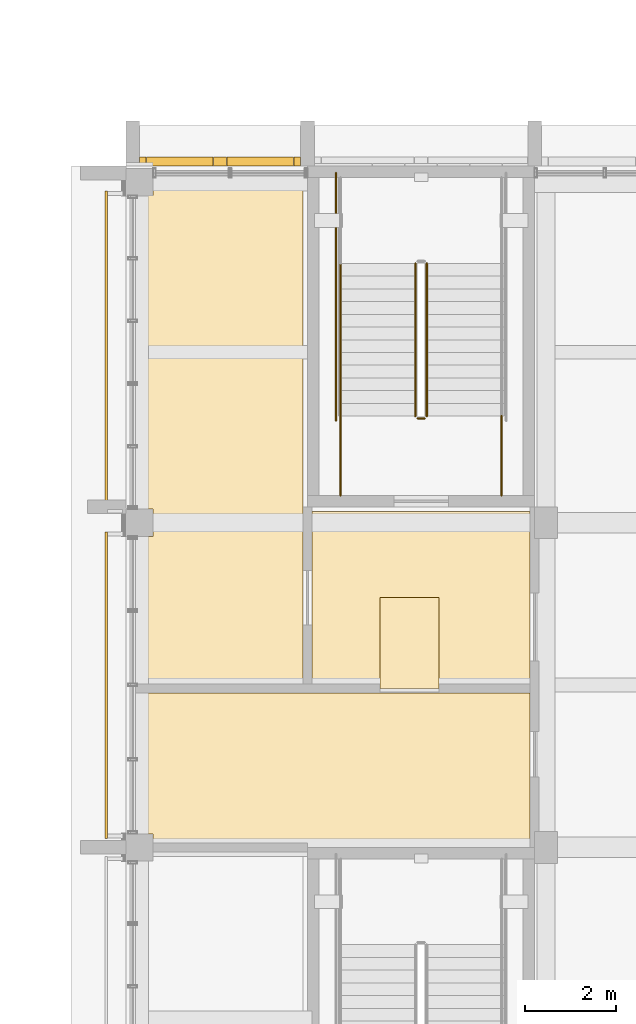
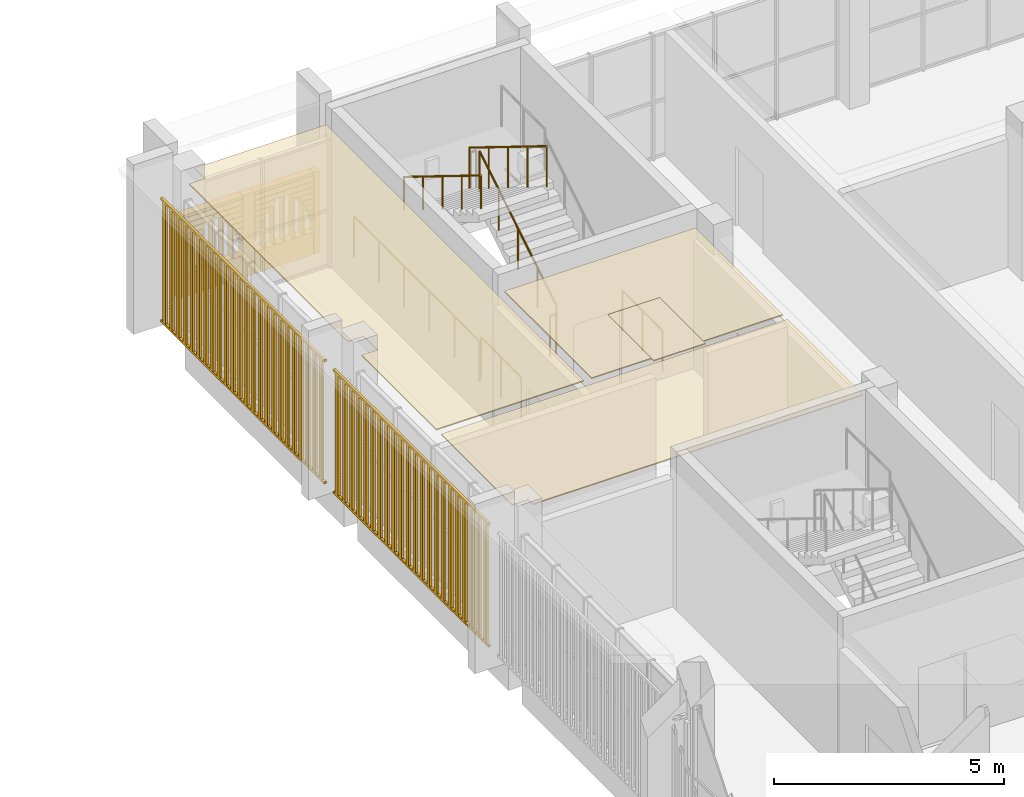
# One storey, part 89 of 92: 7 railings, 5 coverings, 2 shading devices.
"""IFC4 building model written with IfcOpenShell, lengths in metres."""

from ifc_helpers import new_model, si_unit, direction, frame, origin, origin_2d, place, context, subcontext, project, spatial, polyline, rectangle, circle, outline, extrude, material, layer, layer_set, type_object, element, save


model = new_model("IFC4")

# Units and contexts
model_context = context("Model", 3, precision=1e-05, world=origin(), true_north=direction((0.0, 1.0)))
body_context = subcontext(model_context, "Body", "Model", "MODEL_VIEW")
ifc_project = project(units=[si_unit("LENGTHUNIT", "METRE"), si_unit("AREAUNIT", "SQUARE_METRE"), si_unit("VOLUMEUNIT", "CUBIC_METRE"), si_unit("PLANEANGLEUNIT", "RADIAN"), si_unit("MASSUNIT", "GRAM", prefix="KILO")], contexts=[model_context])

# Site, building, storey
site_placement = place(None, origin())
site = spatial("IfcSite", under=ifc_project, at=site_placement, CompositionType="ELEMENT")
building_placement = place(site_placement, origin())
building = spatial("IfcBuilding", under=site, at=building_placement, Name="Sun Court Science Centre", CompositionType="ELEMENT")
storey_placement = place(building_placement, frame((0.0, 0.0, 11.25)))
storey = spatial("IfcBuildingStorey", under=building, at=storey_placement, Name="L02", CompositionType="ELEMENT", Elevation=11.25)

# Coverings
ifc_material_1 = material(Name="Red sandstone", Category="masonry")
ifc_layer_1 = layer(ifc_material_1, 0.199951171875)
ifc_layer_set_1 = layer_set([ifc_layer_1], Name="Red sandstone")
covering_type_1 = type_object("IfcCoveringType", Name="Arched jali screen 200", PredefinedType="CLADDING", material=ifc_layer_set_1)
covering_1_placement = place(storey_placement, frame((0.0, 0.0, -11.25)))
element("IfcCovering", 1, at=covering_1_placement, inside=storey, type_object=covering_type_1, Name="Arched jali screen north L02 01", PredefinedType="CLADDING", context=body_context, shape_type="SweptSolid", body=[
    extrude(rectangle(XDim=0.139892578125, YDim=0.199951171875, at=origin_2d()), frame((78.375, 81.10009765625, 11.554931640625), z_axis=(0.0, 0.0, 1.0), x_axis=(1.0, 0.0, 0.0)), (0.0, 0.0, 1.0), 2.16748046875),
    extrude(rectangle(XDim=0.2900390625, YDim=0.199951171875, at=origin_2d()), frame((80.074951171875, 81.10009765625, 11.554931640625), z_axis=(0.0, 0.0, 1.0), x_axis=(1.0, 0.0, 0.0)), (0.0, 0.0, 1.0), 2.16748046875),
    extrude(rectangle(XDim=0.139892578125, YDim=0.199951171875, at=origin_2d()), frame((81.77490234375, 81.10009765625, 11.554931640625), z_axis=(0.0, 0.0, 1.0), x_axis=(1.0, 0.0, 0.0)), (0.0, 0.0, 1.0), 2.16748046875),
    extrude(rectangle(XDim=1.465087890625, YDim=0.199951171875, at=origin_2d()), frame((79.1875, 81.10009765625, 11.55517578125), z_axis=(0.0, 0.0, 1.0), x_axis=(1.0, 0.0, 0.0)), (0.0, 0.0, 1.0), 0.590087890625),
    extrude(rectangle(XDim=0.03857421875, YDim=0.199951171875, at=origin_2d()), frame((78.47412109375, 81.10009765625, 12.455078125), z_axis=(0.0, 0.0, 1.0), x_axis=(1.0, 0.0, 0.0)), (0.0, 0.0, 1.0), 0.139892578125),
    extrude(rectangle(XDim=0.03857421875, YDim=0.199951171875, at=origin_2d()), frame((79.90087890625, 81.10009765625, 12.455078125), z_axis=(0.0, 0.0, 1.0), x_axis=(1.0, 0.0, 0.0)), (0.0, 0.0, 1.0), 0.139892578125),
    extrude(rectangle(XDim=0.086669921875, YDim=0.199951171875, at=origin_2d()), frame((78.498291015625, 81.10009765625, 12.60498046875), z_axis=(0.0, 0.0, 1.0), x_axis=(1.0, 0.0, 0.0)), (0.0, 0.0, 1.0), 0.139892578125),
    extrude(rectangle(XDim=0.086669921875, YDim=0.199951171875, at=origin_2d()), frame((79.876708984375, 81.10009765625, 12.60498046875), z_axis=(0.0, 0.0, 1.0), x_axis=(1.0, 0.0, 0.0)), (0.0, 0.0, 1.0), 0.139892578125),
    extrude(rectangle(XDim=0.153564453125, YDim=0.199951171875, at=origin_2d()), frame((78.53173828125, 81.10009765625, 12.7548828125), z_axis=(0.0, 0.0, 1.0), x_axis=(1.0, 0.0, 0.0)), (0.0, 0.0, 1.0), 0.139892578125),
    extrude(rectangle(XDim=0.153564453125, YDim=0.199951171875, at=origin_2d()), frame((79.84326171875, 81.10009765625, 12.7548828125), z_axis=(0.0, 0.0, 1.0), x_axis=(1.0, 0.0, 0.0)), (0.0, 0.0, 1.0), 0.139892578125),
    extrude(rectangle(XDim=0.2421875, YDim=0.199951171875, at=origin_2d()), frame((78.576171875, 81.10009765625, 12.9052734375), z_axis=(0.0, 0.0, 1.0), x_axis=(1.0, 0.0, 0.0)), (0.0, 0.0, 1.0), 0.139892578125),
    extrude(rectangle(XDim=0.2421875, YDim=0.199951171875, at=origin_2d()), frame((79.798828125, 81.10009765625, 12.9052734375), z_axis=(0.0, 0.0, 1.0), x_axis=(1.0, 0.0, 0.0)), (0.0, 0.0, 1.0), 0.139892578125),
    extrude(rectangle(XDim=0.358154296875, YDim=0.199951171875, at=origin_2d()), frame((78.634033203125, 81.10009765625, 13.05517578125), z_axis=(0.0, 0.0, 1.0), x_axis=(1.0, 0.0, 0.0)), (0.0, 0.0, 1.0), 0.139892578125),
    extrude(rectangle(XDim=0.358154296875, YDim=0.199951171875, at=origin_2d()), frame((79.740966796875, 81.10009765625, 13.05517578125), z_axis=(0.0, 0.0, 1.0), x_axis=(1.0, 0.0, 0.0)), (0.0, 0.0, 1.0), 0.139892578125),
    extrude(rectangle(XDim=0.510986328125, YDim=0.199951171875, at=origin_2d()), frame((78.71044921875, 81.10009765625, 13.205078125), z_axis=(0.0, 0.0, 1.0), x_axis=(1.0, 0.0, 0.0)), (0.0, 0.0, 1.0), 0.139892578125),
    extrude(rectangle(XDim=0.510986328125, YDim=0.199951171875, at=origin_2d()), frame((79.66455078125, 81.10009765625, 13.205078125), z_axis=(0.0, 0.0, 1.0), x_axis=(1.0, 0.0, 0.0)), (0.0, 0.0, 1.0), 0.139892578125),
    extrude(rectangle(XDim=0.723388671875, YDim=0.199951171875, at=origin_2d()), frame((78.816650390625, 81.10009765625, 13.35498046875), z_axis=(0.0, 0.0, 1.0), x_axis=(1.0, 0.0, 0.0)), (0.0, 0.0, 1.0), 0.139892578125),
    extrude(rectangle(XDim=0.723388671875, YDim=0.199951171875, at=origin_2d()), frame((79.558349609375, 81.10009765625, 13.35498046875), z_axis=(0.0, 0.0, 1.0), x_axis=(1.0, 0.0, 0.0)), (0.0, 0.0, 1.0), 0.139892578125),
    extrude(rectangle(XDim=1.465087890625, YDim=0.199951171875, at=origin_2d()), frame((79.1875, 81.10009765625, 13.5048828125), z_axis=(0.0, 0.0, 1.0), x_axis=(1.0, 0.0, 0.0)), (0.0, 0.0, 1.0), 0.139892578125),
    extrude(rectangle(XDim=1.465087890625, YDim=0.199951171875, at=origin_2d()), frame((79.1875, 81.10009765625, 13.655029296875), z_axis=(0.0, 0.0, 1.0), x_axis=(1.0, 0.0, 0.0)), (0.0, 0.0, 1.0), 0.0673828125),
    extrude(rectangle(XDim=0.0400390625, YDim=0.199951171875, at=origin_2d()), frame((78.69580078125, 81.10009765625, 12.15478515625), z_axis=(0.0, 0.0, 1.0), x_axis=(1.0, 0.0, 0.0)), (0.0, 0.0, 1.0), 0.805419921875),
    extrude(rectangle(XDim=0.0400390625, YDim=0.199951171875, at=origin_2d()), frame((78.941650390625, 81.10009765625, 12.155029296875), z_axis=(0.0, 0.0, 1.0), x_axis=(1.0, 0.0, 0.0)), (0.0, 0.0, 1.0), 1.08935546875),
    extrude(rectangle(XDim=0.0400390625, YDim=0.199951171875, at=origin_2d()), frame((79.1875, 81.10009765625, 12.15478515625), z_axis=(0.0, 0.0, 1.0), x_axis=(1.0, 0.0, 0.0)), (0.0, 0.0, 1.0), 1.267333984375),
    extrude(rectangle(XDim=0.0400390625, YDim=0.199951171875, at=origin_2d()), frame((79.433349609375, 81.10009765625, 12.155029296875), z_axis=(0.0, 0.0, 1.0), x_axis=(1.0, 0.0, 0.0)), (0.0, 0.0, 1.0), 1.08935546875),
    extrude(rectangle(XDim=0.0400390625, YDim=0.199951171875, at=origin_2d()), frame((79.67919921875, 81.10009765625, 12.15478515625), z_axis=(0.0, 0.0, 1.0), x_axis=(1.0, 0.0, 0.0)), (0.0, 0.0, 1.0), 0.805419921875),
    extrude(rectangle(XDim=1.465087890625, YDim=0.199951171875, at=origin_2d()), frame((80.96240234375, 81.10009765625, 11.55517578125), z_axis=(0.0, 0.0, 1.0), x_axis=(1.0, 0.0, 0.0)), (0.0, 0.0, 1.0), 0.590087890625),
    extrude(rectangle(XDim=0.03857421875, YDim=0.199951171875, at=origin_2d()), frame((80.249267578125, 81.10009765625, 12.455078125), z_axis=(0.0, 0.0, 1.0), x_axis=(1.0, 0.0, 0.0)), (0.0, 0.0, 1.0), 0.139892578125),
    extrude(rectangle(XDim=0.03857421875, YDim=0.199951171875, at=origin_2d()), frame((81.67578125, 81.10009765625, 12.455078125), z_axis=(0.0, 0.0, 1.0), x_axis=(1.0, 0.0, 0.0)), (0.0, 0.0, 1.0), 0.139892578125),
    extrude(rectangle(XDim=0.086669921875, YDim=0.199951171875, at=origin_2d()), frame((80.273193359375, 81.10009765625, 12.60498046875), z_axis=(0.0, 0.0, 1.0), x_axis=(1.0, 0.0, 0.0)), (0.0, 0.0, 1.0), 0.139892578125),
    extrude(rectangle(XDim=0.086669921875, YDim=0.199951171875, at=origin_2d()), frame((81.651611328125, 81.10009765625, 12.60498046875), z_axis=(0.0, 0.0, 1.0), x_axis=(1.0, 0.0, 0.0)), (0.0, 0.0, 1.0), 0.139892578125),
    extrude(rectangle(XDim=0.153564453125, YDim=0.199951171875, at=origin_2d()), frame((80.306640625, 81.10009765625, 12.7548828125), z_axis=(0.0, 0.0, 1.0), x_axis=(1.0, 0.0, 0.0)), (0.0, 0.0, 1.0), 0.139892578125),
    extrude(rectangle(XDim=0.153564453125, YDim=0.199951171875, at=origin_2d()), frame((81.6181640625, 81.10009765625, 12.7548828125), z_axis=(0.0, 0.0, 1.0), x_axis=(1.0, 0.0, 0.0)), (0.0, 0.0, 1.0), 0.139892578125),
    extrude(rectangle(XDim=0.2421875, YDim=0.199951171875, at=origin_2d()), frame((80.35107421875, 81.10009765625, 12.9052734375), z_axis=(0.0, 0.0, 1.0), x_axis=(1.0, 0.0, 0.0)), (0.0, 0.0, 1.0), 0.139892578125),
    extrude(rectangle(XDim=0.2421875, YDim=0.199951171875, at=origin_2d()), frame((81.57373046875, 81.10009765625, 12.9052734375), z_axis=(0.0, 0.0, 1.0), x_axis=(1.0, 0.0, 0.0)), (0.0, 0.0, 1.0), 0.139892578125),
    extrude(rectangle(XDim=0.358154296875, YDim=0.199951171875, at=origin_2d()), frame((80.4091796875, 81.10009765625, 13.05517578125), z_axis=(0.0, 0.0, 1.0), x_axis=(1.0, 0.0, 0.0)), (0.0, 0.0, 1.0), 0.139892578125),
    extrude(rectangle(XDim=0.358154296875, YDim=0.199951171875, at=origin_2d()), frame((81.515869140625, 81.10009765625, 13.05517578125), z_axis=(0.0, 0.0, 1.0), x_axis=(1.0, 0.0, 0.0)), (0.0, 0.0, 1.0), 0.139892578125),
    extrude(rectangle(XDim=0.510986328125, YDim=0.199951171875, at=origin_2d()), frame((80.485595703125, 81.10009765625, 13.205078125), z_axis=(0.0, 0.0, 1.0), x_axis=(1.0, 0.0, 0.0)), (0.0, 0.0, 1.0), 0.139892578125),
    extrude(rectangle(XDim=0.510986328125, YDim=0.199951171875, at=origin_2d()), frame((81.439453125, 81.10009765625, 13.205078125), z_axis=(0.0, 0.0, 1.0), x_axis=(1.0, 0.0, 0.0)), (0.0, 0.0, 1.0), 0.139892578125),
    extrude(rectangle(XDim=0.723388671875, YDim=0.199951171875, at=origin_2d()), frame((80.591796875, 81.10009765625, 13.35498046875), z_axis=(0.0, 0.0, 1.0), x_axis=(1.0, 0.0, 0.0)), (0.0, 0.0, 1.0), 0.139892578125),
    extrude(rectangle(XDim=0.723388671875, YDim=0.199951171875, at=origin_2d()), frame((81.333251953125, 81.10009765625, 13.35498046875), z_axis=(0.0, 0.0, 1.0), x_axis=(1.0, 0.0, 0.0)), (0.0, 0.0, 1.0), 0.139892578125),
    extrude(rectangle(XDim=1.465087890625, YDim=0.199951171875, at=origin_2d()), frame((80.96240234375, 81.10009765625, 13.5048828125), z_axis=(0.0, 0.0, 1.0), x_axis=(1.0, 0.0, 0.0)), (0.0, 0.0, 1.0), 0.139892578125),
    extrude(rectangle(XDim=1.465087890625, YDim=0.199951171875, at=origin_2d()), frame((80.96240234375, 81.10009765625, 13.655029296875), z_axis=(0.0, 0.0, 1.0), x_axis=(1.0, 0.0, 0.0)), (0.0, 0.0, 1.0), 0.0673828125),
    extrude(rectangle(XDim=0.0400390625, YDim=0.199951171875, at=origin_2d()), frame((80.470947265625, 81.10009765625, 12.15478515625), z_axis=(0.0, 0.0, 1.0), x_axis=(1.0, 0.0, 0.0)), (0.0, 0.0, 1.0), 0.805419921875),
    extrude(rectangle(XDim=0.0400390625, YDim=0.199951171875, at=origin_2d()), frame((80.716552734375, 81.10009765625, 12.155029296875), z_axis=(0.0, 0.0, 1.0), x_axis=(1.0, 0.0, 0.0)), (0.0, 0.0, 1.0), 1.08935546875),
    extrude(rectangle(XDim=0.0400390625, YDim=0.199951171875, at=origin_2d()), frame((80.96240234375, 81.10009765625, 12.15478515625), z_axis=(0.0, 0.0, 1.0), x_axis=(1.0, 0.0, 0.0)), (0.0, 0.0, 1.0), 1.267333984375),
    extrude(rectangle(XDim=0.0400390625, YDim=0.199951171875, at=origin_2d()), frame((81.208251953125, 81.10009765625, 12.155029296875), z_axis=(0.0, 0.0, 1.0), x_axis=(1.0, 0.0, 0.0)), (0.0, 0.0, 1.0), 1.08935546875),
    extrude(rectangle(XDim=0.0400390625, YDim=0.199951171875, at=origin_2d()), frame((81.4541015625, 81.10009765625, 12.15478515625), z_axis=(0.0, 0.0, 1.0), x_axis=(1.0, 0.0, 0.0)), (0.0, 0.0, 1.0), 0.805419921875),
])
ifc_material_2 = material(Name="Gypsum board")
ifc_layer_2 = layer(ifc_material_2, 0.030029296875)
ifc_layer_set_2 = layer_set([ifc_layer_2], Name="Gypsum board")
covering_type_2 = type_object("IfcCoveringType", Name="Ceiling suspended 600 module", PredefinedType="CEILING", material=ifc_layer_set_2)
covering_2_placement = place(storey_placement, frame((0.0, 0.0, 3.77001953125)))
element("IfcCovering", 2, at=covering_2_placement, inside=storey, type_object=covering_type_2, Name="L02-043 ceiling", PredefinedType="CEILING", context=body_context, shape_type="SweptSolid", body=[
    extrude(outline(polyline([(84.89990234375, 71.5), (83.60009765625, 71.5), (83.60009765625, 69.60009765625), (82.10009765625, 69.60009765625), (82.10009765625, 73.39990234375), (86.89990234375, 73.39990234375), (86.89990234375, 69.60009765625), (84.89990234375, 69.60009765625), (84.89990234375, 71.5)])), origin(), (0.0, 0.0, 1.0), 0.030029296875),
])
covering_3_placement = place(storey_placement, frame((0.0, 0.0, 3.77001953125)))
element("IfcCovering", 3, at=covering_3_placement, inside=storey, type_object=covering_type_2, Name="L02-049 ceiling", PredefinedType="CEILING", context=body_context, shape_type="SweptSolid", body=[
    extrude(outline(polyline([(78.199951171875, 69.39990234375), (86.89990234375, 69.39990234375), (86.89990234375, 66.10009765625), (78.60009765625, 66.10009765625), (78.60009765625, 66.300048828125), (78.199951171875, 66.300048828125), (78.199951171875, 69.39990234375)])), origin(), (0.0, 0.0, 1.0), 0.030029296875),
])
covering_4_placement = place(storey_placement, frame((0.0, 0.0, 3.77001953125)))
element("IfcCovering", 4, at=covering_4_placement, inside=storey, type_object=covering_type_2, Name="L02-050 ceiling", PredefinedType="CEILING", context=body_context, shape_type="SweptSolid", body=[
    extrude(outline(polyline([(78.60009765625, 80.800048828125), (81.89990234375, 80.800048828125), (81.89990234375, 69.60009765625), (78.199951171875, 69.60009765625), (78.199951171875, 72.85009765625), (78.60009765625, 72.85009765625), (78.60009765625, 73.449951171875), (78.199951171875, 73.449951171875), (78.199951171875, 80.35009765625), (78.60009765625, 80.35009765625), (78.60009765625, 80.800048828125)])), origin(), (0.0, 0.0, 1.0), 0.030029296875),
])
covering_5_placement = place(storey_placement, frame((0.0, 0.0, 3.77001953125)))
element("IfcCovering", 5, at=covering_5_placement, inside=storey, type_object=covering_type_2, Name="L02-059 ceiling", PredefinedType="CEILING", context=body_context, shape_type="SweptSolid", body=[
    extrude(outline(polyline([(84.89990234375, 71.5), (84.89990234375, 69.5), (83.60009765625, 69.5), (83.60009765625, 71.5), (84.89990234375, 71.5)])), origin(), (0.0, 0.0, 1.0), 0.030029296875),
])

# Railings
ifc_material_3 = material(Name="Steel S275", Category="steel")
railing_type_1 = type_object("IfcRailingType", Name="Guard 1100 steel balustrade", PredefinedType="GUARDRAIL", material=ifc_material_3)
railing_1_placement = place(storey_placement, frame((84.625, 75.498046875, 0.173095703125)))
element("IfcRailing", 6, at=railing_1_placement, inside=storey, type_object=railing_type_1, Name="L02 SL4 stair guard 1", PredefinedType="GUARDRAIL", context=body_context, shape_type="SweptSolid", body=[
    extrude(circle(Radius=0.02392578125, at=origin_2d()), frame((0.0, 0.0, 1.076171875), z_axis=(0.0, 0.850606129759, 0.525803396734), x_axis=(-1.0, 0.0, 0.0)), (0.0, 0.0, 1.0), 3.949951171875),
    extrude(circle(Radius=0.02099609375, at=origin_2d()), origin(), (0.0, 0.0, 1.0), 1.052001953125),
    extrude(circle(Radius=0.02099609375, at=origin_2d()), frame((0.0, 0.83984375, 0.519287109375)), (0.0, 0.0, 1.0), 1.052001953125),
    extrude(circle(Radius=0.02099609375, at=origin_2d()), frame((0.0, 1.679931640625, 1.03857421875)), (0.0, 0.0, 1.0), 1.052001953125),
    extrude(circle(Radius=0.02099609375, at=origin_2d()), frame((0.0, 2.52001953125, 1.5576171875)), (0.0, 0.0, 1.0), 1.052001953125),
    extrude(circle(Radius=0.02099609375, at=origin_2d()), frame((0.0, 3.35986328125, 2.076904296875)), (0.0, 0.0, 1.0), 1.052001953125),
])
railing_2_placement = place(storey_placement, frame((84.375, 78.85791015625, 2.423095703125)))
element("IfcRailing", 7, at=railing_2_placement, inside=storey, type_object=railing_type_1, Name="L02 SL4 stair guard 5", PredefinedType="GUARDRAIL", context=body_context, shape_type="SweptSolid", body=[
    extrude(circle(Radius=0.02392578125, at=origin_2d()), frame((0.0, 0.0, 1.076171875), z_axis=(0.0, -0.850606129759, 0.525803396734), x_axis=(1.0, 0.0, 0.0)), (0.0, 0.0, 1.0), 3.949951171875),
    extrude(circle(Radius=0.02099609375, at=origin_2d()), origin(), (0.0, 0.0, 1.0), 1.052001953125),
    extrude(circle(Radius=0.02099609375, at=origin_2d()), frame((0.0, -0.83984375, 0.519287109375)), (0.0, 0.0, 1.0), 1.052001953125),
    extrude(circle(Radius=0.02099609375, at=origin_2d()), frame((0.0, -1.679931640625, 1.03857421875)), (0.0, 0.0, 1.0), 1.052001953125),
    extrude(circle(Radius=0.02099609375, at=origin_2d()), frame((0.0, -2.52001953125, 1.5576171875)), (0.0, 0.0, 1.0), 1.052001953125),
    extrude(circle(Radius=0.02099609375, at=origin_2d()), frame((0.0, -3.35986328125, 2.076904296875)), (0.0, 0.0, 1.0), 1.052001953125),
])
railing_3_placement = place(storey_placement, frame((84.574951171875, 75.447998046875, 0.0)))
element("IfcRailing", 8, at=railing_3_placement, inside=storey, type_object=railing_type_1, Name="L02 SL4 stair guard 6", PredefinedType="GUARDRAIL", context=body_context, shape_type="SweptSolid", body=[
    extrude(circle(Radius=0.02392578125, at=origin_2d()), frame((0.0, 0.0, 1.076171875), z_axis=(-1.0, 0.0, 0.0), x_axis=(0.0, -1.0, 0.0)), (0.0, 0.0, 1.0), 0.14990234375),
    extrude(circle(Radius=0.02099609375, at=origin_2d()), origin(), (0.0, 0.0, 1.0), 1.052001953125),
    extrude(circle(Radius=0.02099609375, at=origin_2d()), frame((-0.14990234375, 0.0, 0.0)), (0.0, 0.0, 1.0), 1.052001953125),
])
for number, where, name in (
    (9, (86.27294921875, 73.75, 0.0), "L02 SL4 stair guard 7"),
    (10, (82.72705078125, 73.75, 0.0), "L02 SL4 stair guard 8"),
):
    element("IfcRailing", number, at=place(storey_placement, frame(where)), inside=storey, type_object=railing_type_1, Name=name, PredefinedType="GUARDRAIL", context=body_context, shape_type="SweptSolid", body=[
        extrude(circle(Radius=0.02392578125, at=origin_2d()), frame((0.0, 0.0, 1.076171875), z_axis=(0.0, 1.0, 0.0), x_axis=(-1.0, 0.0, 0.0)), (0.0, 0.0, 1.0), 1.748046875),
        extrude(circle(Radius=0.02099609375, at=origin_2d()), origin(), (0.0, 0.0, 1.0), 1.052001953125),
        extrude(circle(Radius=0.02099609375, at=origin_2d()), frame((0.0, 0.8740234375, 0.0)), (0.0, 0.0, 1.0), 1.052001953125),
        extrude(circle(Radius=0.02099609375, at=origin_2d()), frame((0.0, 1.748046875, 0.0)), (0.0, 0.0, 1.0), 1.052001953125),
    ])
railing_4_placement = place(storey_placement, frame((82.626953125, 75.39794921875, 0.0)))
element("IfcRailing", 11, at=railing_4_placement, inside=storey, type_object=railing_type_1, Name="L02 SL4 stair guard 10", PredefinedType="GUARDRAIL", context=body_context, shape_type="SweptSolid", body=[
    extrude(circle(Radius=0.02392578125, at=origin_2d()), frame((0.0, 0.0, 1.076171875), z_axis=(0.0, 1.0, 0.0), x_axis=(-1.0, 0.0, 0.0)), (0.0, 0.0, 1.0), 5.4521484375),
    extrude(circle(Radius=0.02099609375, at=origin_2d()), origin(), (0.0, 0.0, 1.0), 1.052001953125),
    extrude(circle(Radius=0.02099609375, at=origin_2d()), frame((0.0, 1.09033203125, 0.0)), (0.0, 0.0, 1.0), 1.052001953125),
    extrude(circle(Radius=0.02099609375, at=origin_2d()), frame((0.0, 2.180908203125, 0.0)), (0.0, 0.0, 1.0), 1.052001953125),
    extrude(circle(Radius=0.02099609375, at=origin_2d()), frame((0.0, 3.271240234375, 0.0)), (0.0, 0.0, 1.0), 1.052001953125),
    extrude(circle(Radius=0.02099609375, at=origin_2d()), frame((0.0, 4.36181640625, 0.0)), (0.0, 0.0, 1.0), 1.052001953125),
    extrude(circle(Radius=0.02099609375, at=origin_2d()), frame((0.0, 5.4521484375, 0.0)), (0.0, 0.0, 1.0), 1.052001953125),
])
ifc_material_4 = material(Name="Stainless steel", Category="steel")
railing_type_2 = type_object("IfcRailingType", Name="Handrail 900 stainless", PredefinedType="HANDRAIL", material=ifc_material_4)
railing_5_placement = place(storey_placement, frame((82.72705078125, 78.85791015625, 2.423095703125)))
element("IfcRailing", 12, at=railing_5_placement, inside=storey, type_object=railing_type_2, Name="L02 SL4 stair handrail 2", PredefinedType="HANDRAIL", context=body_context, shape_type="SweptSolid", body=[
    extrude(circle(Radius=0.02392578125, at=origin_2d()), frame((0.0, 0.0, 0.8759765625), z_axis=(0.0, -0.850606129759, 0.525803396734), x_axis=(1.0, 0.0, 0.0)), (0.0, 0.0, 1.0), 3.949951171875),
    extrude(circle(Radius=0.02099609375, at=origin_2d()), origin(), (0.0, 0.0, 1.0), 0.851806640625),
    extrude(circle(Radius=0.02099609375, at=origin_2d()), frame((0.0, -0.83984375, 0.519287109375)), (0.0, 0.0, 1.0), 0.851806640625),
    extrude(circle(Radius=0.02099609375, at=origin_2d()), frame((0.0, -1.679931640625, 1.03857421875)), (0.0, 0.0, 1.0), 0.851806640625),
    extrude(circle(Radius=0.02099609375, at=origin_2d()), frame((0.0, -2.52001953125, 1.5576171875)), (0.0, 0.0, 1.0), 0.851806640625),
    extrude(circle(Radius=0.02099609375, at=origin_2d()), frame((0.0, -3.35986328125, 2.076904296875)), (0.0, 0.0, 1.0), 0.851806640625),
])

# Shading devices
ifc_material_5 = material(Name="Red sandstone", Category="masonry")
ifc_layer_3 = layer(ifc_material_5, 0.06005859375)
ifc_layer_set_3 = layer_set([ifc_layer_3], Name="Red sandstone")
shading_device_type = type_object("IfcShadingDeviceType", Name="Jali screen, sandstone", PredefinedType="USERDEFINED", material=ifc_layer_set_3)
shading_device_1_placement = place(storey_placement, frame((0.0, 0.0, -11.25)))
element("IfcShadingDevice", 13, at=shading_device_1_placement, inside=storey, type_object=shading_device_type, Name="Jali screen west face L02 08", ObjectType="JALI SCREEN", PredefinedType="USERDEFINED", context=body_context, shape_type="SweptSolid", body=[
    extrude(rectangle(XDim=0.1201171875, YDim=0.06005859375, at=origin_2d()), frame((77.570068359375, 66.353515625, 11.58984375), z_axis=(0.0, 0.0, 1.0), x_axis=(0.0, 1.0, 0.0)), (0.0, 0.0, 1.0), 3.219970703125),
    extrude(rectangle(XDim=0.1201171875, YDim=0.06005859375, at=origin_2d()), frame((77.570068359375, 66.66015625, 11.58984375), z_axis=(0.0, 0.0, 1.0), x_axis=(0.0, 1.0, 0.0)), (0.0, 0.0, 1.0), 3.219970703125),
    extrude(rectangle(XDim=0.1201171875, YDim=0.06005859375, at=origin_2d()), frame((77.570068359375, 66.967041015625, 11.58984375), z_axis=(0.0, 0.0, 1.0), x_axis=(0.0, 1.0, 0.0)), (0.0, 0.0, 1.0), 3.219970703125),
    extrude(rectangle(XDim=0.1201171875, YDim=0.06005859375, at=origin_2d()), frame((77.570068359375, 67.27392578125, 11.58984375), z_axis=(0.0, 0.0, 1.0), x_axis=(0.0, 1.0, 0.0)), (0.0, 0.0, 1.0), 3.219970703125),
    extrude(rectangle(XDim=0.1201171875, YDim=0.06005859375, at=origin_2d()), frame((77.570068359375, 67.58056640625, 11.58984375), z_axis=(0.0, 0.0, 1.0), x_axis=(0.0, 1.0, 0.0)), (0.0, 0.0, 1.0), 3.219970703125),
    extrude(rectangle(XDim=0.1201171875, YDim=0.06005859375, at=origin_2d()), frame((77.570068359375, 67.887451171875, 11.58984375), z_axis=(0.0, 0.0, 1.0), x_axis=(0.0, 1.0, 0.0)), (0.0, 0.0, 1.0), 3.219970703125),
    extrude(rectangle(XDim=0.1201171875, YDim=0.06005859375, at=origin_2d()), frame((77.570068359375, 68.1943359375, 11.58984375), z_axis=(0.0, 0.0, 1.0), x_axis=(0.0, 1.0, 0.0)), (0.0, 0.0, 1.0), 3.219970703125),
    extrude(rectangle(XDim=0.1201171875, YDim=0.06005859375, at=origin_2d()), frame((77.570068359375, 68.501220703125, 11.58984375), z_axis=(0.0, 0.0, 1.0), x_axis=(0.0, 1.0, 0.0)), (0.0, 0.0, 1.0), 3.219970703125),
    extrude(rectangle(XDim=0.1201171875, YDim=0.06005859375, at=origin_2d()), frame((77.570068359375, 68.807861328125, 11.58984375), z_axis=(0.0, 0.0, 1.0), x_axis=(0.0, 1.0, 0.0)), (0.0, 0.0, 1.0), 3.219970703125),
    extrude(rectangle(XDim=0.1201171875, YDim=0.06005859375, at=origin_2d()), frame((77.570068359375, 69.11474609375, 11.58984375), z_axis=(0.0, 0.0, 1.0), x_axis=(0.0, 1.0, 0.0)), (0.0, 0.0, 1.0), 3.219970703125),
    extrude(rectangle(XDim=0.1201171875, YDim=0.06005859375, at=origin_2d()), frame((77.570068359375, 69.421630859375, 11.58984375), z_axis=(0.0, 0.0, 1.0), x_axis=(0.0, 1.0, 0.0)), (0.0, 0.0, 1.0), 3.219970703125),
    extrude(rectangle(XDim=0.1201171875, YDim=0.06005859375, at=origin_2d()), frame((77.570068359375, 69.728515625, 11.58984375), z_axis=(0.0, 0.0, 1.0), x_axis=(0.0, 1.0, 0.0)), (0.0, 0.0, 1.0), 3.219970703125),
    extrude(rectangle(XDim=0.1201171875, YDim=0.06005859375, at=origin_2d()), frame((77.570068359375, 70.03515625, 11.58984375), z_axis=(0.0, 0.0, 1.0), x_axis=(0.0, 1.0, 0.0)), (0.0, 0.0, 1.0), 3.219970703125),
    extrude(rectangle(XDim=0.1201171875, YDim=0.06005859375, at=origin_2d()), frame((77.570068359375, 70.342041015625, 11.58984375), z_axis=(0.0, 0.0, 1.0), x_axis=(0.0, 1.0, 0.0)), (0.0, 0.0, 1.0), 3.219970703125),
    extrude(rectangle(XDim=0.1201171875, YDim=0.06005859375, at=origin_2d()), frame((77.570068359375, 70.64892578125, 11.58984375), z_axis=(0.0, 0.0, 1.0), x_axis=(0.0, 1.0, 0.0)), (0.0, 0.0, 1.0), 3.219970703125),
    extrude(rectangle(XDim=0.1201171875, YDim=0.06005859375, at=origin_2d()), frame((77.570068359375, 70.95556640625, 11.58984375), z_axis=(0.0, 0.0, 1.0), x_axis=(0.0, 1.0, 0.0)), (0.0, 0.0, 1.0), 3.219970703125),
    extrude(rectangle(XDim=0.1201171875, YDim=0.06005859375, at=origin_2d()), frame((77.570068359375, 71.262451171875, 11.58984375), z_axis=(0.0, 0.0, 1.0), x_axis=(0.0, 1.0, 0.0)), (0.0, 0.0, 1.0), 3.219970703125),
    extrude(rectangle(XDim=0.1201171875, YDim=0.06005859375, at=origin_2d()), frame((77.570068359375, 71.5693359375, 11.58984375), z_axis=(0.0, 0.0, 1.0), x_axis=(0.0, 1.0, 0.0)), (0.0, 0.0, 1.0), 3.219970703125),
    extrude(rectangle(XDim=0.1201171875, YDim=0.06005859375, at=origin_2d()), frame((77.570068359375, 71.876220703125, 11.58984375), z_axis=(0.0, 0.0, 1.0), x_axis=(0.0, 1.0, 0.0)), (0.0, 0.0, 1.0), 3.219970703125),
    extrude(rectangle(XDim=0.1201171875, YDim=0.06005859375, at=origin_2d()), frame((77.570068359375, 72.182861328125, 11.58984375), z_axis=(0.0, 0.0, 1.0), x_axis=(0.0, 1.0, 0.0)), (0.0, 0.0, 1.0), 3.219970703125),
    extrude(rectangle(XDim=0.1201171875, YDim=0.06005859375, at=origin_2d()), frame((77.570068359375, 72.48974609375, 11.58984375), z_axis=(0.0, 0.0, 1.0), x_axis=(0.0, 1.0, 0.0)), (0.0, 0.0, 1.0), 3.219970703125),
    extrude(rectangle(XDim=0.1201171875, YDim=0.06005859375, at=origin_2d()), frame((77.570068359375, 72.796630859375, 11.58984375), z_axis=(0.0, 0.0, 1.0), x_axis=(0.0, 1.0, 0.0)), (0.0, 0.0, 1.0), 3.219970703125),
    extrude(rectangle(XDim=6.75, YDim=0.06005859375, at=origin_2d()), frame((77.570068359375, 69.574951171875, 11.550048828125), z_axis=(0.0, 0.0, 1.0), x_axis=(0.0, 1.0, 0.0)), (0.0, 0.0, 1.0), 0.06005859375),
    extrude(rectangle(XDim=6.75, YDim=0.06005859375, at=origin_2d()), frame((77.570068359375, 69.574951171875, 14.7900390625), z_axis=(0.0, 0.0, 1.0), x_axis=(0.0, 1.0, 0.0)), (0.0, 0.0, 1.0), 0.06005859375),
])
shading_device_2_placement = place(storey_placement, frame((0.0, 0.0, -11.25)))
element("IfcShadingDevice", 14, at=shading_device_2_placement, inside=storey, type_object=shading_device_type, Name="Jali screen west face L02 09", ObjectType="JALI SCREEN", PredefinedType="USERDEFINED", context=body_context, shape_type="SweptSolid", body=[
    extrude(rectangle(XDim=0.1201171875, YDim=0.06005859375, at=origin_2d()), frame((77.570068359375, 73.497802734375, 11.58984375), z_axis=(0.0, 0.0, 1.0), x_axis=(0.0, 1.0, 0.0)), (0.0, 0.0, 1.0), 3.219970703125),
    extrude(rectangle(XDim=0.1201171875, YDim=0.06005859375, at=origin_2d()), frame((77.570068359375, 73.793701171875, 11.58984375), z_axis=(0.0, 0.0, 1.0), x_axis=(0.0, 1.0, 0.0)), (0.0, 0.0, 1.0), 3.219970703125),
    extrude(rectangle(XDim=0.1201171875, YDim=0.06005859375, at=origin_2d()), frame((77.570068359375, 74.089599609375, 11.58984375), z_axis=(0.0, 0.0, 1.0), x_axis=(0.0, 1.0, 0.0)), (0.0, 0.0, 1.0), 3.219970703125),
    extrude(rectangle(XDim=0.1201171875, YDim=0.06005859375, at=origin_2d()), frame((77.570068359375, 74.385498046875, 11.58984375), z_axis=(0.0, 0.0, 1.0), x_axis=(0.0, 1.0, 0.0)), (0.0, 0.0, 1.0), 3.219970703125),
    extrude(rectangle(XDim=0.1201171875, YDim=0.06005859375, at=origin_2d()), frame((77.570068359375, 74.68115234375, 11.58984375), z_axis=(0.0, 0.0, 1.0), x_axis=(0.0, 1.0, 0.0)), (0.0, 0.0, 1.0), 3.219970703125),
    extrude(rectangle(XDim=0.1201171875, YDim=0.06005859375, at=origin_2d()), frame((77.570068359375, 74.97705078125, 11.58984375), z_axis=(0.0, 0.0, 1.0), x_axis=(0.0, 1.0, 0.0)), (0.0, 0.0, 1.0), 3.219970703125),
    extrude(rectangle(XDim=0.1201171875, YDim=0.06005859375, at=origin_2d()), frame((77.570068359375, 75.27294921875, 11.58984375), z_axis=(0.0, 0.0, 1.0), x_axis=(0.0, 1.0, 0.0)), (0.0, 0.0, 1.0), 3.219970703125),
    extrude(rectangle(XDim=0.1201171875, YDim=0.06005859375, at=origin_2d()), frame((77.570068359375, 75.56884765625, 11.58984375), z_axis=(0.0, 0.0, 1.0), x_axis=(0.0, 1.0, 0.0)), (0.0, 0.0, 1.0), 3.219970703125),
    extrude(rectangle(XDim=0.1201171875, YDim=0.06005859375, at=origin_2d()), frame((77.570068359375, 75.864501953125, 11.58984375), z_axis=(0.0, 0.0, 1.0), x_axis=(0.0, 1.0, 0.0)), (0.0, 0.0, 1.0), 3.219970703125),
    extrude(rectangle(XDim=0.1201171875, YDim=0.06005859375, at=origin_2d()), frame((77.570068359375, 76.160400390625, 11.58984375), z_axis=(0.0, 0.0, 1.0), x_axis=(0.0, 1.0, 0.0)), (0.0, 0.0, 1.0), 3.219970703125),
    extrude(rectangle(XDim=0.1201171875, YDim=0.06005859375, at=origin_2d()), frame((77.570068359375, 76.456298828125, 11.58984375), z_axis=(0.0, 0.0, 1.0), x_axis=(0.0, 1.0, 0.0)), (0.0, 0.0, 1.0), 3.219970703125),
    extrude(rectangle(XDim=0.1201171875, YDim=0.06005859375, at=origin_2d()), frame((77.570068359375, 76.752197265625, 11.58984375), z_axis=(0.0, 0.0, 1.0), x_axis=(0.0, 1.0, 0.0)), (0.0, 0.0, 1.0), 3.219970703125),
    extrude(rectangle(XDim=0.1201171875, YDim=0.06005859375, at=origin_2d()), frame((77.570068359375, 77.0478515625, 11.58984375), z_axis=(0.0, 0.0, 1.0), x_axis=(0.0, 1.0, 0.0)), (0.0, 0.0, 1.0), 3.219970703125),
    extrude(rectangle(XDim=0.1201171875, YDim=0.06005859375, at=origin_2d()), frame((77.570068359375, 77.34375, 11.58984375), z_axis=(0.0, 0.0, 1.0), x_axis=(0.0, 1.0, 0.0)), (0.0, 0.0, 1.0), 3.219970703125),
    extrude(rectangle(XDim=0.1201171875, YDim=0.06005859375, at=origin_2d()), frame((77.570068359375, 77.6396484375, 11.58984375), z_axis=(0.0, 0.0, 1.0), x_axis=(0.0, 1.0, 0.0)), (0.0, 0.0, 1.0), 3.219970703125),
    extrude(rectangle(XDim=0.1201171875, YDim=0.06005859375, at=origin_2d()), frame((77.570068359375, 77.935302734375, 11.58984375), z_axis=(0.0, 0.0, 1.0), x_axis=(0.0, 1.0, 0.0)), (0.0, 0.0, 1.0), 3.219970703125),
    extrude(rectangle(XDim=0.1201171875, YDim=0.06005859375, at=origin_2d()), frame((77.570068359375, 78.231201171875, 11.58984375), z_axis=(0.0, 0.0, 1.0), x_axis=(0.0, 1.0, 0.0)), (0.0, 0.0, 1.0), 3.219970703125),
    extrude(rectangle(XDim=0.1201171875, YDim=0.06005859375, at=origin_2d()), frame((77.570068359375, 78.527099609375, 11.58984375), z_axis=(0.0, 0.0, 1.0), x_axis=(0.0, 1.0, 0.0)), (0.0, 0.0, 1.0), 3.219970703125),
    extrude(rectangle(XDim=0.1201171875, YDim=0.06005859375, at=origin_2d()), frame((77.570068359375, 78.822998046875, 11.58984375), z_axis=(0.0, 0.0, 1.0), x_axis=(0.0, 1.0, 0.0)), (0.0, 0.0, 1.0), 3.219970703125),
    extrude(rectangle(XDim=0.1201171875, YDim=0.06005859375, at=origin_2d()), frame((77.570068359375, 79.11865234375, 11.58984375), z_axis=(0.0, 0.0, 1.0), x_axis=(0.0, 1.0, 0.0)), (0.0, 0.0, 1.0), 3.219970703125),
    extrude(rectangle(XDim=0.1201171875, YDim=0.06005859375, at=origin_2d()), frame((77.570068359375, 79.41455078125, 11.58984375), z_axis=(0.0, 0.0, 1.0), x_axis=(0.0, 1.0, 0.0)), (0.0, 0.0, 1.0), 3.219970703125),
    extrude(rectangle(XDim=0.1201171875, YDim=0.06005859375, at=origin_2d()), frame((77.570068359375, 79.71044921875, 11.58984375), z_axis=(0.0, 0.0, 1.0), x_axis=(0.0, 1.0, 0.0)), (0.0, 0.0, 1.0), 3.219970703125),
    extrude(rectangle(XDim=0.1201171875, YDim=0.06005859375, at=origin_2d()), frame((77.570068359375, 80.00634765625, 11.58984375), z_axis=(0.0, 0.0, 1.0), x_axis=(0.0, 1.0, 0.0)), (0.0, 0.0, 1.0), 3.219970703125),
    extrude(rectangle(XDim=0.1201171875, YDim=0.06005859375, at=origin_2d()), frame((77.570068359375, 80.302001953125, 11.58984375), z_axis=(0.0, 0.0, 1.0), x_axis=(0.0, 1.0, 0.0)), (0.0, 0.0, 1.0), 3.219970703125),
    extrude(rectangle(XDim=7.10009765625, YDim=0.06005859375, at=origin_2d()), frame((77.570068359375, 76.89990234375, 11.550048828125), z_axis=(0.0, 0.0, 1.0), x_axis=(0.0, 1.0, 0.0)), (0.0, 0.0, 1.0), 0.06005859375),
    extrude(rectangle(XDim=7.10009765625, YDim=0.06005859375, at=origin_2d()), frame((77.570068359375, 76.89990234375, 14.7900390625), z_axis=(0.0, 0.0, 1.0), x_axis=(0.0, 1.0, 0.0)), (0.0, 0.0, 1.0), 0.06005859375),
])

save(model, "model.ifc")
